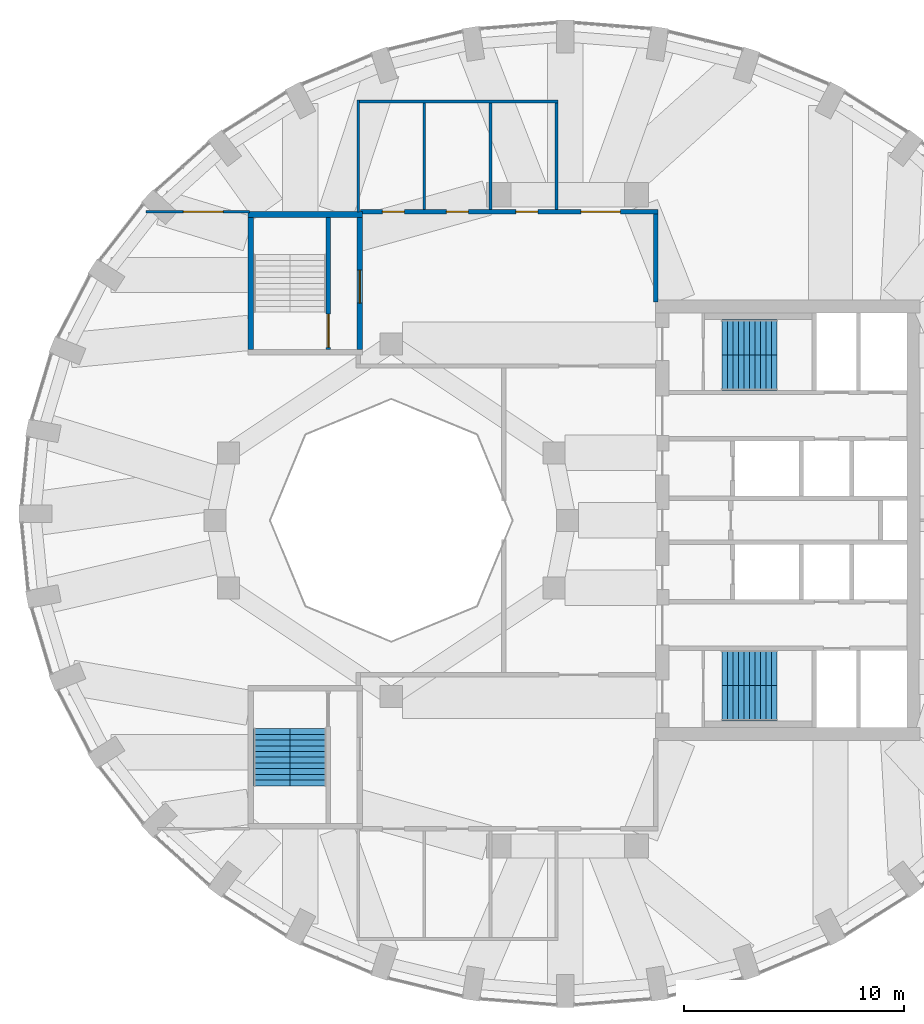
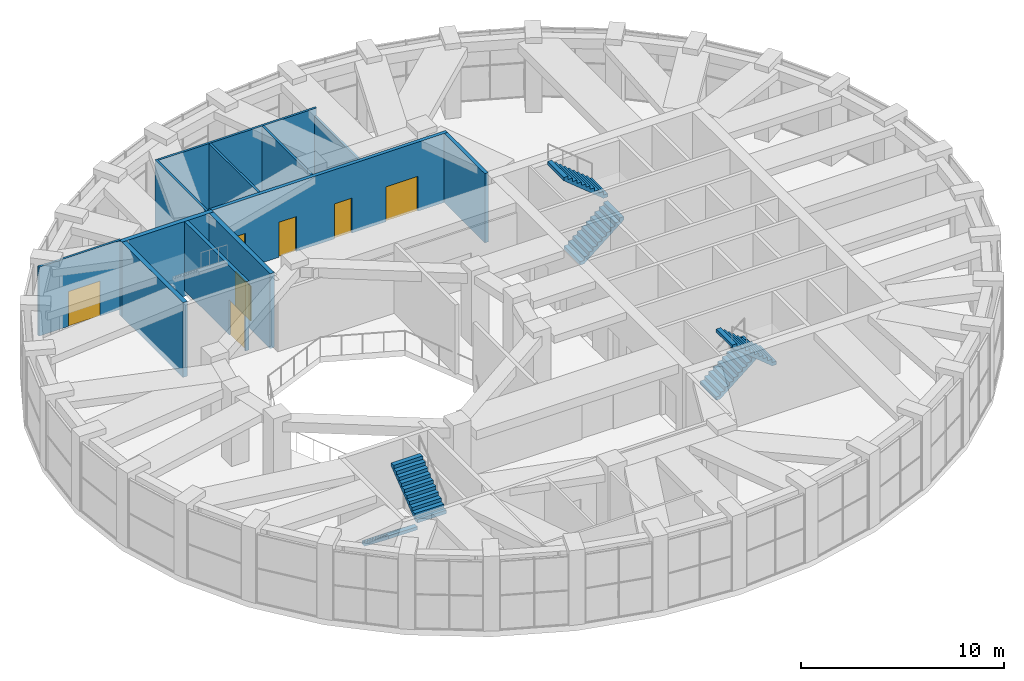
# One storey, part 15 of 17: 12 walls, 7 doors, 6 stair flights, 7 openings, 3 elements without a shape of their own.
"""IFC4 building model written with IfcOpenShell, lengths in metres."""

from ifc_helpers import new_model, si_unit, direction, frame, frame_2d, origin, place, context, subcontext, project, spatial, polyline, rectangle, outline, extrude, material, layer, layer_set, type_object, element, fill, aggregate, save


model = new_model("IFC4")

# Units and contexts
model_context = context("Model", 3, precision=1e-05, world=origin(), true_north=direction((0.0, 1.0)))
body_context = subcontext(model_context, "Body", "Model", "MODEL_VIEW")
ifc_project = project(units=[si_unit("LENGTHUNIT", "METRE"), si_unit("AREAUNIT", "SQUARE_METRE"), si_unit("VOLUMEUNIT", "CUBIC_METRE"), si_unit("PLANEANGLEUNIT", "RADIAN"), si_unit("MASSUNIT", "GRAM", prefix="KILO")], contexts=[model_context])

# Site, building, storey
site_placement = place(None, origin())
site = spatial("IfcSite", under=ifc_project, at=site_placement, CompositionType="ELEMENT")
building_placement = place(site_placement, origin())
building = spatial("IfcBuilding", under=site, at=building_placement, Name="Taillehof Tower", CompositionType="ELEMENT")
storey_placement = place(building_placement, frame((0.0, 0.0, 259.699951171875)))
storey = spatial("IfcBuildingStorey", under=building, at=storey_placement, Name="L74", CompositionType="ELEMENT", Elevation=259.699951171875)

# Wall, openings, doors
ifc_material_1 = material(Name="Calcium silicate blockwork", Category="masonry")
ifc_layer_1 = layer(ifc_material_1, 0.199951171875)
ifc_layer_set_1 = layer_set([ifc_layer_1], Name="Compartment wall EI 60 200 mm")
wall_type_1 = type_object("IfcWallType", Name="Compartment wall EI 60 200 mm", PredefinedType="PARTITIONING", material=ifc_layer_set_1)
wall_1_placement = place(storey_placement, frame((-9.39990234375, 14.0, 0.0), z_axis=(0.0, 0.0, 1.0), x_axis=(1.0, 0.0, 0.0)))
wall_1 = element("IfcWall", 1, at=wall_1_placement, inside=storey, type_object=wall_type_1, Name="Wall L74-01 / L74-07", PredefinedType="PARTITIONING", context=body_context, shape_type="SweptSolid", body=[
    extrude(rectangle(XDim=13.5, YDim=0.199951171875, at=frame_2d((6.75, 0.0))), origin(), (0.0, 0.0, 1.0), 4.150146484375),
])
opening_1_placement = place(wall_1_placement, frame((10.0, 0.0, 0.0)))
opening_1 = element("IfcOpeningElement", 2, at=opening_1_placement, cuts=wall_1, Name="Opening D7452", PredefinedType="OPENING", context=body_context, shape_type="SweptSolid", body=[
    extrude(rectangle(XDim=1.800048828125, YDim=2.10009765625, at=frame_2d((0.89990234375, 1.050048828125))), frame((0.0, 0.10986328125, 0.0), z_axis=(0.0, -1.0, 0.0), x_axis=(1.0, 0.0, 0.0)), (0.0, 0.0, 1.0), 0.219970703125),
])
opening_2_placement = place(wall_1_placement, frame((1.0, 0.0, 0.0)))
opening_2 = element("IfcOpeningElement", 3, at=opening_2_placement, cuts=wall_1, Name="Opening D7449", PredefinedType="OPENING", context=body_context, shape_type="SweptSolid", body=[
    extrude(rectangle(XDim=1.0, YDim=2.10009765625, at=frame_2d((0.5, 1.050048828125))), frame((0.0, 0.10986328125, 0.0), z_axis=(0.0, -1.0, 0.0), x_axis=(1.0, 0.0, 0.0)), (0.0, 0.0, 1.0), 0.219970703125),
])
opening_3_placement = place(wall_1_placement, frame((3.89990234375, 0.0, 0.0)))
opening_3 = element("IfcOpeningElement", 4, at=opening_3_placement, cuts=wall_1, Name="Opening D7450", PredefinedType="OPENING", context=body_context, shape_type="SweptSolid", body=[
    extrude(rectangle(XDim=1.0, YDim=2.10009765625, at=frame_2d((0.5, 1.050048828125))), frame((0.0, 0.10986328125, 0.0), z_axis=(0.0, -1.0, 0.0), x_axis=(1.0, 0.0, 0.0)), (0.0, 0.0, 1.0), 0.219970703125),
])
opening_4_placement = place(wall_1_placement, frame((7.050048828125, 0.0, 0.0)))
opening_4 = element("IfcOpeningElement", 5, at=opening_4_placement, cuts=wall_1, Name="Opening D7451", PredefinedType="OPENING", context=body_context, shape_type="SweptSolid", body=[
    extrude(rectangle(XDim=1.0, YDim=2.10009765625, at=frame_2d((0.5, 1.050048828125))), frame((0.0, 0.10986328125, 0.0), z_axis=(0.0, -1.0, 0.0), x_axis=(1.0, 0.0, 0.0)), (0.0, 0.0, 1.0), 0.219970703125),
])
ifc_material_2 = material(Name="Hollow metal door set")
door_type_1 = type_object("IfcDoorType", Name="Double door 1800 x 2100 FD60S", OperationType="DOUBLE_DOOR_SINGLE_SWING", PredefinedType="DOOR", material=ifc_material_2)
door_1_placement = place(opening_1_placement, origin())
door_1 = element("IfcDoor", 6, at=door_1_placement, inside=storey, type_object=door_type_1, Name="Door D7452", OperationType="DOUBLE_DOOR_SINGLE_SWING", OverallHeight=2.10009765625, OverallWidth=1.800048828125, PredefinedType="DOOR", context=body_context, shape_type="SweptSolid", body=[
    extrude(rectangle(XDim=1.800048828125, YDim=2.10009765625, at=frame_2d((0.89990234375, 1.050048828125))), frame((0.0, 0.02490234375, 0.0), z_axis=(0.0, -1.0, 0.0), x_axis=(1.0, 0.0, 0.0)), (0.0, 0.0, 1.0), 0.050048828125),
])
fill(opening_1, door_1)
ifc_material_3 = material(Name="Hollow metal door set")
door_type_2 = type_object("IfcDoorType", Name="Single door 1000 x 2100 FD60S", OperationType="SINGLE_SWING_LEFT", PredefinedType="DOOR", material=ifc_material_3)
door_2_placement = place(opening_2_placement, origin())
door_2 = element("IfcDoor", 7, at=door_2_placement, inside=storey, type_object=door_type_2, Name="Door D7449", OperationType="SINGLE_SWING_RIGHT", OverallHeight=2.10009765625, OverallWidth=1.0, PredefinedType="DOOR", context=body_context, shape_type="SweptSolid", body=[
    extrude(rectangle(XDim=1.0, YDim=2.10009765625, at=frame_2d((0.5, 1.050048828125))), frame((0.0, 0.02490234375, 0.0), z_axis=(0.0, -1.0, 0.0), x_axis=(1.0, 0.0, 0.0)), (0.0, 0.0, 1.0), 0.050048828125),
])
fill(opening_2, door_2)
door_3_placement = place(opening_3_placement, origin())
door_3 = element("IfcDoor", 8, at=door_3_placement, inside=storey, type_object=door_type_2, Name="Door D7450", OperationType="SINGLE_SWING_LEFT", OverallHeight=2.10009765625, OverallWidth=1.0, PredefinedType="DOOR", context=body_context, shape_type="SweptSolid", body=[
    extrude(rectangle(XDim=1.0, YDim=2.10009765625, at=frame_2d((0.5, 1.050048828125))), frame((0.0, 0.02490234375, 0.0), z_axis=(0.0, -1.0, 0.0), x_axis=(1.0, 0.0, 0.0)), (0.0, 0.0, 1.0), 0.050048828125),
])
fill(opening_3, door_3)
door_4_placement = place(opening_4_placement, origin())
door_4 = element("IfcDoor", 9, at=door_4_placement, inside=storey, type_object=door_type_2, Name="Door D7451", OperationType="SINGLE_SWING_RIGHT", OverallHeight=2.10009765625, OverallWidth=1.0, PredefinedType="DOOR", context=body_context, shape_type="SweptSolid", body=[
    extrude(rectangle(XDim=1.0, YDim=2.10009765625, at=frame_2d((0.5, 1.050048828125))), frame((0.0, 0.02490234375, 0.0), z_axis=(0.0, -1.0, 0.0), x_axis=(1.0, 0.0, 0.0)), (0.0, 0.0, 1.0), 0.050048828125),
])
fill(opening_4, door_4)

# Wall
wall_2_placement = place(storey_placement, frame((4.0, 9.89990234375, 0.0), z_axis=(0.0, 0.0, 1.0), x_axis=(0.0, 1.0, 0.0)))
element("IfcWall", 10, at=wall_2_placement, inside=storey, type_object=wall_type_1, Name="Wall L74-07 / L74-10", PredefinedType="PARTITIONING", context=body_context, shape_type="SweptSolid", body=[
    extrude(rectangle(XDim=4.0, YDim=0.199951171875, at=frame_2d((2.0, 0.0))), origin(), (0.0, 0.0, 1.0), 4.150146484375),
])

# Wall, opening, door
ifc_material_4 = material(Name="Gypsum board partition on steel studs", Category="steel")
ifc_layer_2 = layer(ifc_material_4, 0.125)
ifc_layer_set_2 = layer_set([ifc_layer_2], Name="Partition wall EI 30 125 mm")
wall_type_2 = type_object("IfcWallType", Name="Partition wall EI 30 125 mm", PredefinedType="PARTITIONING", material=ifc_layer_set_2)
wall_3_placement = place(storey_placement, frame((-19.12109375, 14.0, 0.0), z_axis=(0.0, 0.0, 1.0), x_axis=(1.0, 0.0, 0.0)))
wall_3 = element("IfcWall", 11, at=wall_3_placement, inside=storey, type_object=wall_type_2, Name="Wall L74-10 / L74-12", PredefinedType="PARTITIONING", context=body_context, shape_type="SweptSolid", body=[
    extrude(rectangle(XDim=4.68359375, YDim=0.125, at=frame_2d((2.341796875, 0.0))), origin(), (0.0, 0.0, 1.0), 4.150146484375),
])
opening_5_placement = place(wall_3_placement, frame((1.69189453125, 0.0, 0.0)))
opening_5 = element("IfcOpeningElement", 12, at=opening_5_placement, cuts=wall_3, Name="Opening D7448", PredefinedType="OPENING", context=body_context, shape_type="SweptSolid", body=[
    extrude(rectangle(XDim=1.800048828125, YDim=2.10009765625, at=frame_2d((0.89990234375, 1.050048828125))), frame((0.0, 0.072509765625, 0.0), z_axis=(0.0, -1.0, 0.0), x_axis=(1.0, 0.0, 0.0)), (0.0, 0.0, 1.0), 0.14501953125),
])
ifc_material_5 = material(Name="Hollow metal door set")
door_type_3 = type_object("IfcDoorType", Name="Double door 1800 x 2100 FD30S", OperationType="DOUBLE_DOOR_SINGLE_SWING", PredefinedType="DOOR", material=ifc_material_5)
door_5_placement = place(opening_5_placement, origin())
door_5 = element("IfcDoor", 13, at=door_5_placement, inside=storey, type_object=door_type_3, Name="Door D7448", OperationType="DOUBLE_DOOR_SINGLE_SWING", OverallHeight=2.10009765625, OverallWidth=1.800048828125, PredefinedType="DOOR", context=body_context, shape_type="SweptSolid", body=[
    extrude(rectangle(XDim=1.800048828125, YDim=2.10009765625, at=frame_2d((0.89990234375, 1.050048828125))), frame((0.0, 0.02490234375, 0.0), z_axis=(0.0, -1.0, 0.0), x_axis=(1.0, 0.0, 0.0)), (0.0, 0.0, 1.0), 0.050048828125),
])
fill(opening_5, door_5)

# Walls
wall_4_placement = place(storey_placement, frame((-9.4375, 19.0, 0.0), z_axis=(0.0, 0.0, 1.0), x_axis=(1.0, 0.0, 0.0)))
element("IfcWall", 14, at=wall_4_placement, inside=storey, type_object=wall_type_2, Name="Wall L74-01 / L74-10", PredefinedType="PARTITIONING", context=body_context, shape_type="SweptSolid", body=[
    extrude(rectangle(XDim=9.0, YDim=0.125, at=frame_2d((4.5, 0.0))), origin(), (0.0, 0.0, 1.0), 4.150146484375),
])
wall_5_placement = place(storey_placement, frame((-9.5, 13.998046875, 0.0), z_axis=(0.0, 0.0, 1.0), x_axis=(0.0, 1.0, 0.0)))
element("IfcWall", 15, at=wall_5_placement, inside=storey, type_object=wall_type_2, Name="Wall L74-01 / L74-10", PredefinedType="PARTITIONING", context=body_context, shape_type="SweptSolid", body=[
    extrude(rectangle(XDim=5.064453125, YDim=0.125, at=frame_2d((2.5322265625, 0.0))), origin(), (0.0, 0.0, 1.0), 4.150146484375),
])
for number, where, z_axis, x_axis, name in (
    (16, (-6.5, 14.10009765625, 0.0), (0.0, 0.0, 1.0), (0.0, 1.0, 0.0), "Wall L74-01 / L74-02"),
    (17, (-3.5, 14.10009765625, 0.0), (0.0, 0.0, 1.0), (0.0, 1.0, 0.0), "Wall L74-02 / L74-03"),
):
    element("IfcWall", number, at=place(storey_placement, frame(where, z_axis=z_axis, x_axis=x_axis)), inside=storey, type_object=wall_type_2, Name=name, PredefinedType="PARTITIONING", context=body_context, shape_type="SweptSolid", body=[
        extrude(rectangle(XDim=4.83740234375, YDim=0.125, at=frame_2d((2.418701171875, 0.0))), origin(), (0.0, 0.0, 1.0), 4.150146484375),
    ])
wall_6_placement = place(storey_placement, frame((-0.5, 14.10009765625, 0.0), z_axis=(0.0, 0.0, 1.0), x_axis=(0.0, 1.0, 0.0)))
element("IfcWall", 18, at=wall_6_placement, inside=storey, type_object=wall_type_2, Name="Wall L74-03 / L74-10", PredefinedType="PARTITIONING", context=body_context, shape_type="SweptSolid", body=[
    extrude(rectangle(XDim=4.83740234375, YDim=0.125, at=frame_2d((2.418701171875, 0.0))), origin(), (0.0, 0.0, 1.0), 3.699951171875),
])

# Wall, opening, door
ifc_material_6 = material(Name="Concrete C50/60", Category="concrete")
ifc_layer_3 = layer(ifc_material_6, 0.199951171875)
ifc_layer_set_3 = layer_set([ifc_layer_3], Name="Shaft wall C50/60 200")
wall_type_3 = type_object("IfcWallType", Name="Shaft wall C50/60 200", PredefinedType="SHEAR", material=ifc_layer_set_3)
wall_7_placement = place(storey_placement, frame((-10.85009765625, 7.75, 0.0), z_axis=(0.0, 0.0, 1.0), x_axis=(0.0, 1.0, 0.0)))
wall_7 = element("IfcWall", 19, at=wall_7_placement, inside=storey, type_object=wall_type_3, Name="Shaft wall SW", PredefinedType="SHEAR", context=body_context, shape_type="SweptSolid", body=[
    extrude(rectangle(XDim=6.0, YDim=0.199951171875, at=frame_2d((3.0, 0.0))), origin(), (0.0, 0.0, 1.0), 4.150146484375),
])
opening_6_placement = place(wall_7_placement, frame((0.10009765625, 0.0, 0.0)))
opening_6 = element("IfcOpeningElement", 20, at=opening_6_placement, cuts=wall_7, Name="Opening D7410", PredefinedType="OPENING", context=body_context, shape_type="SweptSolid", body=[
    extrude(rectangle(XDim=1.5, YDim=2.10009765625, at=frame_2d((0.75, 1.050048828125))), frame((0.0, 0.10986328125, 0.0), z_axis=(0.0, -1.0, 0.0), x_axis=(1.0, 0.0, 0.0)), (0.0, 0.0, 1.0), 0.219970703125),
])
ifc_material_7 = material(Name="Steel-faced fire door", Category="steel")
door_type_4 = type_object("IfcDoorType", Name="Stair door 1500x2100", OperationType="DOUBLE_DOOR_SINGLE_SWING", PredefinedType="DOOR", material=ifc_material_7)
door_6_placement = place(opening_6_placement, origin())
door_6 = element("IfcDoor", 21, at=door_6_placement, inside=storey, type_object=door_type_4, Name="Stair lobby door S3", OperationType="DOUBLE_DOOR_SINGLE_SWING", OverallHeight=2.10009765625, OverallWidth=1.5, PredefinedType="DOOR", context=body_context, shape_type="SweptSolid", body=[
    extrude(rectangle(XDim=1.5, YDim=2.10009765625, at=frame_2d((0.75, 1.050048828125))), frame((0.0, 0.02490234375, 0.0), z_axis=(0.0, -1.0, 0.0), x_axis=(1.0, 0.0, 0.0)), (0.0, 0.0, 1.0), 0.050048828125),
])
fill(opening_6, door_6)

# Wall
ifc_material_8 = material(Name="Concrete C50/60", Category="concrete")
ifc_layer_4 = layer(ifc_material_8, 0.25)
ifc_layer_set_4 = layer_set([ifc_layer_4], Name="Stair wall C50/60 250")
wall_type_4 = type_object("IfcWallType", Name="Stair wall C50/60 250", PredefinedType="SHEAR", material=ifc_layer_set_4)
wall_8_placement = place(storey_placement, frame((-14.375, 7.75, -0.349853515625), z_axis=(0.0, 0.0, 1.0), x_axis=(0.0, 1.0, 0.0)))
element("IfcWall", 22, at=wall_8_placement, inside=storey, type_object=wall_type_4, Name="Stair wall SC", PredefinedType="SHEAR", context=body_context, shape_type="SweptSolid", body=[
    extrude(rectangle(XDim=6.0, YDim=0.25, at=frame_2d((3.0, 0.0))), origin(), (0.0, 0.0, 1.0), 4.5),
])

# Wall, opening, door
wall_9_placement = place(storey_placement, frame((-9.425048828125, 7.75, -0.349853515625), z_axis=(0.0, 0.0, 1.0), x_axis=(0.0, 1.0, 0.0)))
wall_9 = element("IfcWall", 23, at=wall_9_placement, inside=storey, type_object=wall_type_4, Name="Stair wall SC", PredefinedType="SHEAR", context=body_context, shape_type="SweptSolid", body=[
    extrude(rectangle(XDim=6.0, YDim=0.25, at=frame_2d((3.0, 0.0))), origin(), (0.0, 0.0, 1.0), 4.5),
])
opening_7_placement = place(wall_9_placement, frame((2.10009765625, 0.0, 0.35009765625)))
opening_7 = element("IfcOpeningElement", 24, at=opening_7_placement, cuts=wall_9, Name="Opening D7413", PredefinedType="OPENING", context=body_context, shape_type="SweptSolid", body=[
    extrude(rectangle(XDim=1.5, YDim=2.10009765625, at=frame_2d((0.75, 1.050048828125))), frame((0.0, 0.135009765625, 0.0), z_axis=(0.0, -1.0, 0.0), x_axis=(1.0, 0.0, 0.0)), (0.0, 0.0, 1.0), 0.27001953125),
])
door_7_placement = place(opening_7_placement, origin())
door_7 = element("IfcDoor", 25, at=door_7_placement, inside=storey, type_object=door_type_4, Name="Stair door S3", OperationType="DOUBLE_DOOR_SINGLE_SWING", OverallHeight=2.10009765625, OverallWidth=1.5, PredefinedType="DOOR", context=body_context, shape_type="SweptSolid", body=[
    extrude(rectangle(XDim=1.5, YDim=2.10009765625, at=frame_2d((0.75, 1.050048828125))), frame((0.0, 0.02490234375, 0.0), z_axis=(0.0, -1.0, 0.0), x_axis=(1.0, 0.0, 0.0)), (0.0, 0.0, 1.0), 0.050048828125),
])
fill(opening_7, door_7)

# Wall
wall_10_placement = place(storey_placement, frame((-14.5, 13.875, -0.349853515625), z_axis=(0.0, 0.0, 1.0), x_axis=(1.0, 0.0, 0.0)))
element("IfcWall", 26, at=wall_10_placement, inside=storey, type_object=wall_type_4, Name="Stair wall SC", PredefinedType="SHEAR", context=body_context, shape_type="SweptSolid", body=[
    extrude(rectangle(XDim=5.199951171875, YDim=0.25, at=frame_2d((2.60009765625, 0.0))), origin(), (0.0, 0.0, 1.0), 4.5),
])

# Stair, stair flights
ifc_material_9 = material(Name="Concrete C40/50", Category="concrete")
stair_type = type_object("IfcStairType", Name="Exit stair half-turn", PredefinedType="HALF_TURN_STAIR", material=ifc_material_9)
stair_1_placement = place(storey_placement, origin())
stair_1 = element("IfcStair", 27, at=stair_1_placement, inside=storey, type_object=stair_type, Name="Exit stair S1", PredefinedType="HALF_TURN_STAIR")
ifc_material_10 = material(Name="Concrete C40/50", Category="concrete")
stair_flight_type_1 = type_object("IfcStairFlightType", Name="Stair flight 1600 riser 204.5 going 250", PredefinedType="STRAIGHT", material=ifc_material_10)
stair_flight_1_placement = place(storey_placement, frame((7.0, 6.699951171875, 0.0), z_axis=(0.0, 0.0, 1.0), x_axis=(1.0, 0.0, 0.0)))
stair_flight_1 = element("IfcStairFlight", 28, at=stair_flight_1_placement, type_object=stair_flight_type_1, Name="S1 flight 1", NumberOfRisers=11, NumberOfTreads=10, PredefinedType="STRAIGHT", RiserHeight=0.204545455, TreadLength=0.25, context=body_context, shape_type="SweptSolid", body=[
    extrude(outline(polyline([(0.0, 0.0), (0.0, 0.006103515625), (0.0, 0.011962890625), (0.0, 0.01806640625), (0.0, 0.024169921875), (0.0, 0.030029296875), (0.0, 0.0361328125), (0.0, 0.0419921875), (0.0, 0.048095703125), (0.0, 0.05419921875), (0.0, 0.06005859375), (0.0, 0.066162109375), (0.0, 0.072265625), (0.0, 0.078125), (0.0, 0.084228515625), (0.0, 0.09033203125), (0.0, 0.09619140625), (0.0, 0.102294921875), (0.0, 0.1083984375), (0.0, 0.1142578125), (0.0, 0.120361328125), (0.0, 0.126220703125), (0.0, 0.13232421875), (0.0, 0.138427734375), (0.0, 0.144287109375), (0.0, 0.150390625), (0.0, 0.156494140625), (0.0, 0.162353515625), (0.0, 0.16845703125), (0.0, 0.174560546875), (0.0, 0.180419921875), (0.0, 0.1865234375), (0.0, 0.192626953125), (0.0, 0.198486328125), (0.0, 0.20458984375), (0.25, 0.20458984375), (0.25, 0.4091796875), (0.5, 0.4091796875), (0.5, 0.613525390625), (0.75, 0.613525390625), (0.75, 0.818115234375), (1.0, 0.818115234375), (1.0, 1.022705078125), (1.25, 1.022705078125), (1.25, 1.227294921875), (1.5, 1.227294921875), (1.5, 1.431884765625), (1.75, 1.431884765625), (1.75, 1.636474609375), (2.0, 1.636474609375), (2.0, 1.8408203125), (2.25, 1.8408203125), (2.25, 2.04541015625), (2.5, 2.04541015625), (2.5, 2.039794921875), (2.5, 2.0341796875), (2.5, 2.0283203125), (2.5, 2.022705078125), (2.5, 2.01708984375), (2.5, 2.01123046875), (2.5, 2.005615234375), (2.5, 2.0), (2.5, 1.994140625), (2.5, 1.988525390625), (2.5, 1.98291015625), (2.5, 1.97705078125), (2.5, 1.971435546875), (2.5, 1.9658203125), (2.5, 1.9599609375), (2.5, 1.954345703125), (2.5, 1.94873046875), (2.5, 1.94287109375), (2.5, 1.937255859375), (2.5, 1.931640625), (2.5, 1.92578125), (2.5, 1.920166015625), (2.5, 1.91455078125), (2.5, 1.90869140625), (2.5, 1.903076171875), (2.5, 1.8974609375), (2.5, 1.8916015625), (2.5, 1.885986328125), (2.5, 1.88037109375), (2.5, 1.87451171875), (2.5, 1.868896484375), (2.5, 1.86328125), (2.5, 1.857421875), (2.5, 1.851806640625), (0.23681640625, 0.0), (0.0, 0.0)])), frame((0.0, 0.800048828125, 0.0), z_axis=(0.0, -1.0, 0.0), x_axis=(1.0, 0.0, 0.0)), (0.0, 0.0, 1.0), 1.6),
])
stair_flight_2_placement = place(storey_placement, frame((9.5, 8.300048828125, 2.25), z_axis=(0.0, 0.0, 1.0), x_axis=(-1.0, 0.0, 0.0)))
stair_flight_2 = element("IfcStairFlight", 29, at=stair_flight_2_placement, type_object=stair_flight_type_1, Name="S1 flight 2", NumberOfRisers=11, NumberOfTreads=10, PredefinedType="STRAIGHT", RiserHeight=0.204545455, TreadLength=0.25, context=body_context, shape_type="SweptSolid", body=[
    extrude(outline(polyline([(0.0, 0.0), (0.0, 0.006103515625), (0.0, 0.011962890625), (0.0, 0.01806640625), (0.0, 0.024169921875), (0.0, 0.030029296875), (0.0, 0.0361328125), (0.0, 0.0419921875), (0.0, 0.048095703125), (0.0, 0.05419921875), (0.0, 0.06005859375), (0.0, 0.066162109375), (0.0, 0.072265625), (0.0, 0.078125), (0.0, 0.084228515625), (0.0, 0.09033203125), (0.0, 0.09619140625), (0.0, 0.102294921875), (0.0, 0.1083984375), (0.0, 0.1142578125), (0.0, 0.120361328125), (0.0, 0.126220703125), (0.0, 0.13232421875), (0.0, 0.138427734375), (0.0, 0.144287109375), (0.0, 0.150390625), (0.0, 0.156494140625), (0.0, 0.162353515625), (0.0, 0.16845703125), (0.0, 0.174560546875), (0.0, 0.180419921875), (0.0, 0.1865234375), (0.0, 0.192626953125), (0.0, 0.198486328125), (0.0, 0.20458984375), (0.25, 0.20458984375), (0.25, 0.4091796875), (0.5, 0.4091796875), (0.5, 0.613525390625), (0.75, 0.613525390625), (0.75, 0.818115234375), (1.0, 0.818115234375), (1.0, 1.022705078125), (1.25, 1.022705078125), (1.25, 1.227294921875), (1.5, 1.227294921875), (1.5, 1.431884765625), (1.75, 1.431884765625), (1.75, 1.636474609375), (2.0, 1.636474609375), (2.0, 1.8408203125), (2.25, 1.8408203125), (2.25, 2.04541015625), (2.5, 2.04541015625), (2.5, 2.039794921875), (2.5, 2.0341796875), (2.5, 2.0283203125), (2.5, 2.022705078125), (2.5, 2.01708984375), (2.5, 2.01123046875), (2.5, 2.005615234375), (2.5, 2.0), (2.5, 1.994140625), (2.5, 1.988525390625), (2.5, 1.98291015625), (2.5, 1.97705078125), (2.5, 1.971435546875), (2.5, 1.9658203125), (2.5, 1.9599609375), (2.5, 1.954345703125), (2.5, 1.94873046875), (2.5, 1.94287109375), (2.5, 1.937255859375), (2.5, 1.931640625), (2.5, 1.92578125), (2.5, 1.920166015625), (2.5, 1.91455078125), (2.5, 1.90869140625), (2.5, 1.903076171875), (2.5, 1.8974609375), (2.5, 1.8916015625), (2.5, 1.885986328125), (2.5, 1.88037109375), (2.5, 1.87451171875), (2.5, 1.868896484375), (2.5, 1.86328125), (2.5, 1.857421875), (2.5, 1.851806640625), (0.23681640625, 0.0), (0.0, 0.0)])), frame((0.0, 0.800048828125, 0.0), z_axis=(0.0, -1.0, 0.0), x_axis=(1.0, 0.0, 0.0)), (0.0, 0.0, 1.0), 1.6),
])
aggregate(stair_1, [stair_flight_1, stair_flight_2])

stair_2_placement = place(storey_placement, origin())
stair_2 = element("IfcStair", 30, at=stair_2_placement, inside=storey, type_object=stair_type, Name="Exit stair S2", PredefinedType="HALF_TURN_STAIR")
stair_flight_3_placement = place(storey_placement, frame((7.0, -6.699951171875, 0.0), z_axis=(0.0, 0.0, 1.0), x_axis=(1.0, 0.0, 0.0)))
stair_flight_3 = element("IfcStairFlight", 31, at=stair_flight_3_placement, type_object=stair_flight_type_1, Name="S2 flight 1", NumberOfRisers=11, NumberOfTreads=10, PredefinedType="STRAIGHT", RiserHeight=0.204545455, TreadLength=0.25, context=body_context, shape_type="SweptSolid", body=[
    extrude(outline(polyline([(0.0, 0.0), (0.0, 0.006103515625), (0.0, 0.011962890625), (0.0, 0.01806640625), (0.0, 0.024169921875), (0.0, 0.030029296875), (0.0, 0.0361328125), (0.0, 0.0419921875), (0.0, 0.048095703125), (0.0, 0.05419921875), (0.0, 0.06005859375), (0.0, 0.066162109375), (0.0, 0.072265625), (0.0, 0.078125), (0.0, 0.084228515625), (0.0, 0.09033203125), (0.0, 0.09619140625), (0.0, 0.102294921875), (0.0, 0.1083984375), (0.0, 0.1142578125), (0.0, 0.120361328125), (0.0, 0.126220703125), (0.0, 0.13232421875), (0.0, 0.138427734375), (0.0, 0.144287109375), (0.0, 0.150390625), (0.0, 0.156494140625), (0.0, 0.162353515625), (0.0, 0.16845703125), (0.0, 0.174560546875), (0.0, 0.180419921875), (0.0, 0.1865234375), (0.0, 0.192626953125), (0.0, 0.198486328125), (0.0, 0.20458984375), (0.25, 0.20458984375), (0.25, 0.4091796875), (0.5, 0.4091796875), (0.5, 0.613525390625), (0.75, 0.613525390625), (0.75, 0.818115234375), (1.0, 0.818115234375), (1.0, 1.022705078125), (1.25, 1.022705078125), (1.25, 1.227294921875), (1.5, 1.227294921875), (1.5, 1.431884765625), (1.75, 1.431884765625), (1.75, 1.636474609375), (2.0, 1.636474609375), (2.0, 1.8408203125), (2.25, 1.8408203125), (2.25, 2.04541015625), (2.5, 2.04541015625), (2.5, 2.039794921875), (2.5, 2.0341796875), (2.5, 2.0283203125), (2.5, 2.022705078125), (2.5, 2.01708984375), (2.5, 2.01123046875), (2.5, 2.005615234375), (2.5, 2.0), (2.5, 1.994140625), (2.5, 1.988525390625), (2.5, 1.98291015625), (2.5, 1.97705078125), (2.5, 1.971435546875), (2.5, 1.9658203125), (2.5, 1.9599609375), (2.5, 1.954345703125), (2.5, 1.94873046875), (2.5, 1.94287109375), (2.5, 1.937255859375), (2.5, 1.931640625), (2.5, 1.92578125), (2.5, 1.920166015625), (2.5, 1.91455078125), (2.5, 1.90869140625), (2.5, 1.903076171875), (2.5, 1.8974609375), (2.5, 1.8916015625), (2.5, 1.885986328125), (2.5, 1.88037109375), (2.5, 1.87451171875), (2.5, 1.868896484375), (2.5, 1.86328125), (2.5, 1.857421875), (2.5, 1.851806640625), (0.23681640625, 0.0), (0.0, 0.0)])), frame((0.0, 0.800048828125, 0.0), z_axis=(0.0, -1.0, 0.0), x_axis=(1.0, 0.0, 0.0)), (0.0, 0.0, 1.0), 1.6),
])
stair_flight_4_placement = place(storey_placement, frame((9.5, -8.300048828125, 2.25), z_axis=(0.0, 0.0, 1.0), x_axis=(-1.0, 0.0, 0.0)))
stair_flight_4 = element("IfcStairFlight", 32, at=stair_flight_4_placement, type_object=stair_flight_type_1, Name="S2 flight 2", NumberOfRisers=11, NumberOfTreads=10, PredefinedType="STRAIGHT", RiserHeight=0.204545455, TreadLength=0.25, context=body_context, shape_type="SweptSolid", body=[
    extrude(outline(polyline([(0.0, 0.0), (0.0, 0.006103515625), (0.0, 0.011962890625), (0.0, 0.01806640625), (0.0, 0.024169921875), (0.0, 0.030029296875), (0.0, 0.0361328125), (0.0, 0.0419921875), (0.0, 0.048095703125), (0.0, 0.05419921875), (0.0, 0.06005859375), (0.0, 0.066162109375), (0.0, 0.072265625), (0.0, 0.078125), (0.0, 0.084228515625), (0.0, 0.09033203125), (0.0, 0.09619140625), (0.0, 0.102294921875), (0.0, 0.1083984375), (0.0, 0.1142578125), (0.0, 0.120361328125), (0.0, 0.126220703125), (0.0, 0.13232421875), (0.0, 0.138427734375), (0.0, 0.144287109375), (0.0, 0.150390625), (0.0, 0.156494140625), (0.0, 0.162353515625), (0.0, 0.16845703125), (0.0, 0.174560546875), (0.0, 0.180419921875), (0.0, 0.1865234375), (0.0, 0.192626953125), (0.0, 0.198486328125), (0.0, 0.20458984375), (0.25, 0.20458984375), (0.25, 0.4091796875), (0.5, 0.4091796875), (0.5, 0.613525390625), (0.75, 0.613525390625), (0.75, 0.818115234375), (1.0, 0.818115234375), (1.0, 1.022705078125), (1.25, 1.022705078125), (1.25, 1.227294921875), (1.5, 1.227294921875), (1.5, 1.431884765625), (1.75, 1.431884765625), (1.75, 1.636474609375), (2.0, 1.636474609375), (2.0, 1.8408203125), (2.25, 1.8408203125), (2.25, 2.04541015625), (2.5, 2.04541015625), (2.5, 2.039794921875), (2.5, 2.0341796875), (2.5, 2.0283203125), (2.5, 2.022705078125), (2.5, 2.01708984375), (2.5, 2.01123046875), (2.5, 2.005615234375), (2.5, 2.0), (2.5, 1.994140625), (2.5, 1.988525390625), (2.5, 1.98291015625), (2.5, 1.97705078125), (2.5, 1.971435546875), (2.5, 1.9658203125), (2.5, 1.9599609375), (2.5, 1.954345703125), (2.5, 1.94873046875), (2.5, 1.94287109375), (2.5, 1.937255859375), (2.5, 1.931640625), (2.5, 1.92578125), (2.5, 1.920166015625), (2.5, 1.91455078125), (2.5, 1.90869140625), (2.5, 1.903076171875), (2.5, 1.8974609375), (2.5, 1.8916015625), (2.5, 1.885986328125), (2.5, 1.88037109375), (2.5, 1.87451171875), (2.5, 1.868896484375), (2.5, 1.86328125), (2.5, 1.857421875), (2.5, 1.851806640625), (0.23681640625, 0.0), (0.0, 0.0)])), frame((0.0, 0.800048828125, 0.0), z_axis=(0.0, -1.0, 0.0), x_axis=(1.0, 0.0, 0.0)), (0.0, 0.0, 1.0), 1.6),
])
aggregate(stair_2, [stair_flight_3, stair_flight_4])

stair_3_placement = place(storey_placement, origin())
stair_3 = element("IfcStair", 33, at=stair_3_placement, inside=storey, type_object=stair_type, Name="Exit stair S4", PredefinedType="HALF_TURN_STAIR")
ifc_material_11 = material(Name="Concrete C40/50", Category="concrete")
stair_flight_type_2 = type_object("IfcStairFlightType", Name="Stair flight 1650 riser 204.5 going 260", PredefinedType="STRAIGHT", material=ifc_material_11)
stair_flight_5_placement = place(storey_placement, frame((-13.425048828125, -9.449951171875, 0.0), z_axis=(0.0, 0.0, 1.0), x_axis=(0.0, -1.0, 0.0)))
stair_flight_5 = element("IfcStairFlight", 34, at=stair_flight_5_placement, type_object=stair_flight_type_2, Name="S4 flight 1", NumberOfRisers=11, NumberOfTreads=10, PredefinedType="STRAIGHT", RiserHeight=0.204545455, TreadLength=0.26, context=body_context, shape_type="SweptSolid", body=[
    extrude(outline(polyline([(0.0, 0.0), (0.0, 0.006103515625), (0.0, 0.011962890625), (0.0, 0.01806640625), (0.0, 0.024169921875), (0.0, 0.030029296875), (0.0, 0.0361328125), (0.0, 0.0419921875), (0.0, 0.048095703125), (0.0, 0.05419921875), (0.0, 0.06005859375), (0.0, 0.066162109375), (0.0, 0.072265625), (0.0, 0.078125), (0.0, 0.084228515625), (0.0, 0.09033203125), (0.0, 0.09619140625), (0.0, 0.102294921875), (0.0, 0.1083984375), (0.0, 0.1142578125), (0.0, 0.120361328125), (0.0, 0.126220703125), (0.0, 0.13232421875), (0.0, 0.138427734375), (0.0, 0.144287109375), (0.0, 0.150390625), (0.0, 0.156494140625), (0.0, 0.162353515625), (0.0, 0.16845703125), (0.0, 0.174560546875), (0.0, 0.180419921875), (0.0, 0.1865234375), (0.0, 0.192626953125), (0.0, 0.198486328125), (0.0, 0.20458984375), (0.260009765625, 0.20458984375), (0.260009765625, 0.4091796875), (0.52001953125, 0.4091796875), (0.52001953125, 0.613525390625), (0.780029296875, 0.613525390625), (0.780029296875, 0.818115234375), (1.0400390625, 0.818115234375), (1.0400390625, 1.022705078125), (1.300048828125, 1.022705078125), (1.300048828125, 1.227294921875), (1.56005859375, 1.227294921875), (1.56005859375, 1.431884765625), (1.820068359375, 1.431884765625), (1.820068359375, 1.636474609375), (2.080078125, 1.636474609375), (2.080078125, 1.8408203125), (2.340087890625, 1.8408203125), (2.340087890625, 2.04541015625), (2.60009765625, 2.04541015625), (2.60009765625, 2.039794921875), (2.60009765625, 2.0341796875), (2.60009765625, 2.028564453125), (2.60009765625, 2.02294921875), (2.60009765625, 2.017333984375), (2.60009765625, 2.01171875), (2.60009765625, 2.006103515625), (2.60009765625, 2.00048828125), (2.60009765625, 1.994873046875), (2.60009765625, 1.9892578125), (2.60009765625, 1.983642578125), (2.60009765625, 1.97802734375), (2.60009765625, 1.972412109375), (2.60009765625, 1.966796875), (2.60009765625, 1.96142578125), (2.60009765625, 1.955810546875), (2.60009765625, 1.9501953125), (2.60009765625, 1.944580078125), (2.60009765625, 1.93896484375), (2.60009765625, 1.933349609375), (2.60009765625, 1.927734375), (2.60009765625, 1.922119140625), (2.60009765625, 1.91650390625), (2.60009765625, 1.910888671875), (2.60009765625, 1.9052734375), (2.60009765625, 1.899658203125), (2.60009765625, 1.89404296875), (2.60009765625, 1.888427734375), (2.60009765625, 1.8828125), (2.60009765625, 1.877197265625), (2.60009765625, 1.87158203125), (2.60009765625, 1.865966796875), (2.60009765625, 1.8603515625), (2.60009765625, 1.854736328125), (0.242431640625, 0.0), (0.0, 0.0)])), frame((0.0, 0.824951171875, 0.0), z_axis=(0.0, -1.0, 0.0), x_axis=(1.0, 0.0, 0.0)), (0.0, 0.0, 1.0), 1.65),
])
stair_flight_6_placement = place(storey_placement, frame((-11.77490234375, -12.050048828125, 2.25), z_axis=(0.0, 0.0, 1.0), x_axis=(0.0, 1.0, 0.0)))
stair_flight_6 = element("IfcStairFlight", 35, at=stair_flight_6_placement, type_object=stair_flight_type_2, Name="S4 flight 2", NumberOfRisers=11, NumberOfTreads=10, PredefinedType="STRAIGHT", RiserHeight=0.204545455, TreadLength=0.26, context=body_context, shape_type="SweptSolid", body=[
    extrude(outline(polyline([(0.0, 0.0), (0.0, 0.006103515625), (0.0, 0.011962890625), (0.0, 0.01806640625), (0.0, 0.024169921875), (0.0, 0.030029296875), (0.0, 0.0361328125), (0.0, 0.0419921875), (0.0, 0.048095703125), (0.0, 0.05419921875), (0.0, 0.06005859375), (0.0, 0.066162109375), (0.0, 0.072265625), (0.0, 0.078125), (0.0, 0.084228515625), (0.0, 0.09033203125), (0.0, 0.09619140625), (0.0, 0.102294921875), (0.0, 0.1083984375), (0.0, 0.1142578125), (0.0, 0.120361328125), (0.0, 0.126220703125), (0.0, 0.13232421875), (0.0, 0.138427734375), (0.0, 0.144287109375), (0.0, 0.150390625), (0.0, 0.156494140625), (0.0, 0.162353515625), (0.0, 0.16845703125), (0.0, 0.174560546875), (0.0, 0.180419921875), (0.0, 0.1865234375), (0.0, 0.192626953125), (0.0, 0.198486328125), (0.0, 0.20458984375), (0.260009765625, 0.20458984375), (0.260009765625, 0.4091796875), (0.52001953125, 0.4091796875), (0.52001953125, 0.613525390625), (0.780029296875, 0.613525390625), (0.780029296875, 0.818115234375), (1.0400390625, 0.818115234375), (1.0400390625, 1.022705078125), (1.300048828125, 1.022705078125), (1.300048828125, 1.227294921875), (1.56005859375, 1.227294921875), (1.56005859375, 1.431884765625), (1.820068359375, 1.431884765625), (1.820068359375, 1.636474609375), (2.080078125, 1.636474609375), (2.080078125, 1.8408203125), (2.340087890625, 1.8408203125), (2.340087890625, 2.04541015625), (2.60009765625, 2.04541015625), (2.60009765625, 2.039794921875), (2.60009765625, 2.0341796875), (2.60009765625, 2.028564453125), (2.60009765625, 2.02294921875), (2.60009765625, 2.017333984375), (2.60009765625, 2.01171875), (2.60009765625, 2.006103515625), (2.60009765625, 2.00048828125), (2.60009765625, 1.994873046875), (2.60009765625, 1.9892578125), (2.60009765625, 1.983642578125), (2.60009765625, 1.97802734375), (2.60009765625, 1.972412109375), (2.60009765625, 1.966796875), (2.60009765625, 1.96142578125), (2.60009765625, 1.955810546875), (2.60009765625, 1.9501953125), (2.60009765625, 1.944580078125), (2.60009765625, 1.93896484375), (2.60009765625, 1.933349609375), (2.60009765625, 1.927734375), (2.60009765625, 1.922119140625), (2.60009765625, 1.91650390625), (2.60009765625, 1.910888671875), (2.60009765625, 1.9052734375), (2.60009765625, 1.899658203125), (2.60009765625, 1.89404296875), (2.60009765625, 1.888427734375), (2.60009765625, 1.8828125), (2.60009765625, 1.877197265625), (2.60009765625, 1.87158203125), (2.60009765625, 1.865966796875), (2.60009765625, 1.8603515625), (2.60009765625, 1.854736328125), (0.242431640625, 0.0), (0.0, 0.0)])), frame((0.0, 0.824951171875, 0.0), z_axis=(0.0, -1.0, 0.0), x_axis=(1.0, 0.0, 0.0)), (0.0, 0.0, 1.0), 1.65),
])
aggregate(stair_3, [stair_flight_5, stair_flight_6])

save(model, "model.ifc")
